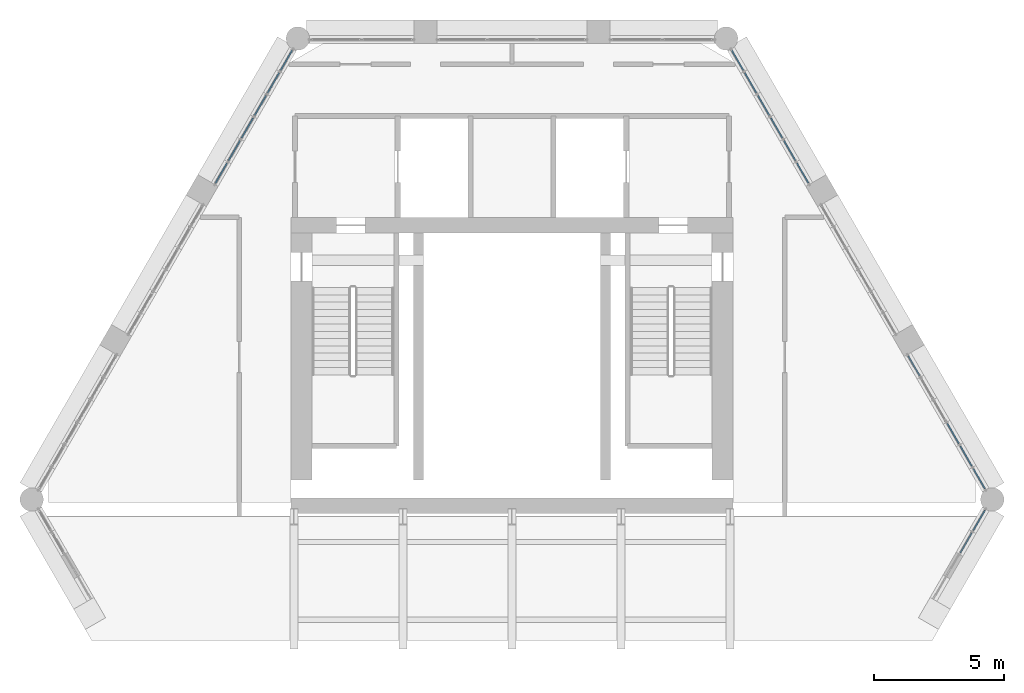
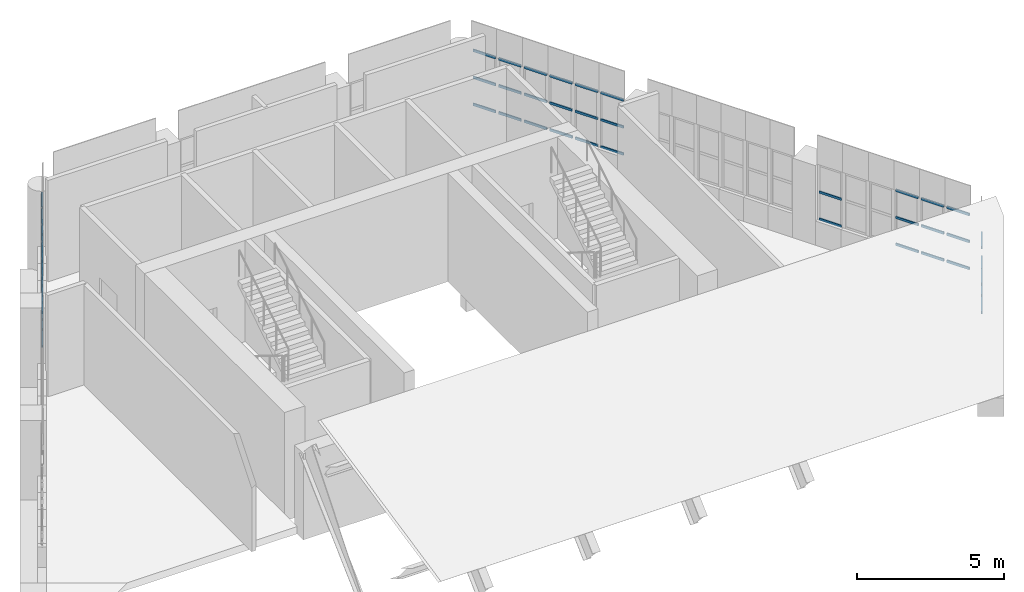
# One storey, part 12 of 20: 52 members, 18 elements without a shape of their own.
"""IFC4 building model written with IfcOpenShell, lengths in metres."""

from ifc_helpers import new_model, si_unit, direction, frame, origin, origin_2d, place, context, subcontext, project, spatial, hollow_rectangle, extrude, material, material_profile, profile_set, type_object, element, aggregate, save


model = new_model("IFC4")

# Units and contexts
model_context = context("Model", 3, precision=1e-05, world=origin(), true_north=direction((0.0, 1.0)))
body_context = subcontext(model_context, "Body", "Model", "MODEL_VIEW")
ifc_project = project(units=[si_unit("LENGTHUNIT", "METRE"), si_unit("AREAUNIT", "SQUARE_METRE"), si_unit("VOLUMEUNIT", "CUBIC_METRE"), si_unit("PLANEANGLEUNIT", "RADIAN"), si_unit("MASSUNIT", "GRAM", prefix="KILO")], contexts=[model_context])

# Site, building, storey
site_placement = place(None, origin())
site = spatial("IfcSite", under=ifc_project, at=site_placement, CompositionType="ELEMENT")
building_placement = place(site_placement, origin())
building = spatial("IfcBuilding", under=site, at=building_placement, Name="Ostrander Bayou Hotel Tower", CompositionType="ELEMENT")
storey_placement = place(building_placement, frame((0.0, 0.0, 284.0)))
storey = spatial("IfcBuildingStorey", under=building, at=storey_placement, Name="L70", CompositionType="ELEMENT", Elevation=284.0)

# Curtain wall, members
ifc_material_1 = material(Name="Aluminium and clear glass", Category="aluminium")
curtain_wall_type = type_object("IfcCurtainWallType", Name="CW-CROWN glazed wall", PredefinedType="NOTDEFINED", material=ifc_material_1)
curtain_wall_1_placement = place(storey_placement, origin())
curtain_wall_1 = element("IfcCurtainWall", 1, at=curtain_wall_1_placement, inside=storey, type_object=curtain_wall_type, Name="CW-CROWN L70:NW-1-1", PredefinedType="NOTDEFINED")
ifc_material_2 = material(Name="Aluminium", Category="aluminium")
ifc_material_profile = material_profile(ifc_material_2, hollow_rectangle(XDim=0.050048828125, YDim=0.10009765625, WallThickness=0.00390625, at=origin_2d()))
ifc_profile_set = profile_set([ifc_material_profile], Name="Aluminium")
member_type = type_object("IfcMemberType", Name="CW-CR transom 50 x 100 mm", PredefinedType="USERDEFINED", material=ifc_profile_set)
member_1_placement = place(storey_placement, frame((-8.4619140625, 16.13037109375, 1.030029296875), z_axis=(-0.500033502416, -0.866006060292, 0.0), x_axis=(0.866006060292, -0.500033502416, 0.0)))
member_1 = element("IfcMember", 2, at=member_1_placement, type_object=member_type, Name="CW-CROWN transom 1.1", ObjectType="TRANSOM", PredefinedType="USERDEFINED", context=body_context, shape_type="SweptSolid", body=[
    extrude(hollow_rectangle(XDim=0.050048828125, YDim=0.10009765625, WallThickness=0.00390625, at=origin_2d()), origin(), (0.0, 0.0, 1.0), 0.88330078125),
])
member_2_placement = place(storey_placement, frame((-8.4619140625, 16.13037109375, 2.14990234375), z_axis=(-0.500033502416, -0.866006060292, 0.0), x_axis=(0.866006060292, -0.500033502416, 0.0)))
member_2 = element("IfcMember", 3, at=member_2_placement, type_object=member_type, Name="CW-CROWN transom 1.2", ObjectType="TRANSOM", PredefinedType="USERDEFINED", context=body_context, shape_type="SweptSolid", body=[
    extrude(hollow_rectangle(XDim=0.050048828125, YDim=0.10009765625, WallThickness=0.00390625, at=origin_2d()), origin(), (0.0, 0.0, 1.0), 0.88330078125),
])
member_3_placement = place(storey_placement, frame((-8.4619140625, 16.13037109375, 3.27001953125), z_axis=(-0.500033502416, -0.866006060292, 0.0), x_axis=(0.866006060292, -0.500033502416, 0.0)))
member_3 = element("IfcMember", 4, at=member_3_placement, type_object=member_type, Name="CW-CROWN transom 1.3", ObjectType="TRANSOM", PredefinedType="USERDEFINED", context=body_context, shape_type="SweptSolid", body=[
    extrude(hollow_rectangle(XDim=0.050048828125, YDim=0.10009765625, WallThickness=0.00390625, at=origin_2d()), origin(), (0.0, 0.0, 1.0), 0.88330078125),
])
aggregate(curtain_wall_1, [member_1, member_2, member_3])

curtain_wall_2_placement = place(storey_placement, origin())
curtain_wall_2 = element("IfcCurtainWall", 5, at=curtain_wall_2_placement, inside=storey, type_object=curtain_wall_type, Name="CW-CROWN L70:NW-1-2", PredefinedType="NOTDEFINED")
member_4_placement = place(storey_placement, frame((-8.963623046875, 15.26171875, 1.030029296875), z_axis=(-0.500033502416, -0.866006060292, 0.0), x_axis=(0.866006060292, -0.500033502416, 0.0)))
member_4 = element("IfcMember", 6, at=member_4_placement, type_object=member_type, Name="CW-CROWN transom 1.1", ObjectType="TRANSOM", PredefinedType="USERDEFINED", context=body_context, shape_type="SweptSolid", body=[
    extrude(hollow_rectangle(XDim=0.050048828125, YDim=0.10009765625, WallThickness=0.00390625, at=origin_2d()), origin(), (0.0, 0.0, 1.0), 0.88330078125),
])
member_5_placement = place(storey_placement, frame((-8.963623046875, 15.26171875, 2.14990234375), z_axis=(-0.500033502416, -0.866006060292, 0.0), x_axis=(0.866006060292, -0.500033502416, 0.0)))
member_5 = element("IfcMember", 7, at=member_5_placement, type_object=member_type, Name="CW-CROWN transom 1.2", ObjectType="TRANSOM", PredefinedType="USERDEFINED", context=body_context, shape_type="SweptSolid", body=[
    extrude(hollow_rectangle(XDim=0.050048828125, YDim=0.10009765625, WallThickness=0.00390625, at=origin_2d()), origin(), (0.0, 0.0, 1.0), 0.88330078125),
])
member_6_placement = place(storey_placement, frame((-8.963623046875, 15.26171875, 3.27001953125), z_axis=(-0.500033502416, -0.866006060292, 0.0), x_axis=(0.866006060292, -0.500033502416, 0.0)))
member_6 = element("IfcMember", 8, at=member_6_placement, type_object=member_type, Name="CW-CROWN transom 1.3", ObjectType="TRANSOM", PredefinedType="USERDEFINED", context=body_context, shape_type="SweptSolid", body=[
    extrude(hollow_rectangle(XDim=0.050048828125, YDim=0.10009765625, WallThickness=0.00390625, at=origin_2d()), origin(), (0.0, 0.0, 1.0), 0.88330078125),
])
aggregate(curtain_wall_2, [member_4, member_5, member_6])

curtain_wall_3_placement = place(storey_placement, origin())
curtain_wall_3 = element("IfcCurtainWall", 9, at=curtain_wall_3_placement, inside=storey, type_object=curtain_wall_type, Name="CW-CROWN L70:NW-1-3", PredefinedType="NOTDEFINED")
member_7_placement = place(storey_placement, frame((-9.465087890625, 14.392822265625, 1.030029296875), z_axis=(-0.500153222552, -0.865936922628, 0.0), x_axis=(0.865936922628, -0.500153222552, 0.0)))
member_7 = element("IfcMember", 10, at=member_7_placement, type_object=member_type, Name="CW-CROWN transom 1.1", ObjectType="TRANSOM", PredefinedType="USERDEFINED", context=body_context, shape_type="SweptSolid", body=[
    extrude(hollow_rectangle(XDim=0.050048828125, YDim=0.10009765625, WallThickness=0.00390625, at=origin_2d()), origin(), (0.0, 0.0, 1.0), 0.883056640625),
])
member_8_placement = place(storey_placement, frame((-9.465087890625, 14.392822265625, 2.14990234375), z_axis=(-0.500153222552, -0.865936922628, 0.0), x_axis=(0.865936922628, -0.500153222552, 0.0)))
member_8 = element("IfcMember", 11, at=member_8_placement, type_object=member_type, Name="CW-CROWN transom 1.2", ObjectType="TRANSOM", PredefinedType="USERDEFINED", context=body_context, shape_type="SweptSolid", body=[
    extrude(hollow_rectangle(XDim=0.050048828125, YDim=0.10009765625, WallThickness=0.00390625, at=origin_2d()), origin(), (0.0, 0.0, 1.0), 0.883056640625),
])
member_9_placement = place(storey_placement, frame((-9.465087890625, 14.392822265625, 3.27001953125), z_axis=(-0.500153222552, -0.865936922628, 0.0), x_axis=(0.865936922628, -0.500153222552, 0.0)))
member_9 = element("IfcMember", 12, at=member_9_placement, type_object=member_type, Name="CW-CROWN transom 1.3", ObjectType="TRANSOM", PredefinedType="USERDEFINED", context=body_context, shape_type="SweptSolid", body=[
    extrude(hollow_rectangle(XDim=0.050048828125, YDim=0.10009765625, WallThickness=0.00390625, at=origin_2d()), origin(), (0.0, 0.0, 1.0), 0.883056640625),
])
aggregate(curtain_wall_3, [member_7, member_8, member_9])

curtain_wall_4_placement = place(storey_placement, origin())
curtain_wall_4 = element("IfcCurtainWall", 13, at=curtain_wall_4_placement, inside=storey, type_object=curtain_wall_type, Name="CW-CROWN L70:NW-1-4", PredefinedType="NOTDEFINED")
member_10_placement = place(storey_placement, frame((-9.966796875, 13.524169921875, 1.030029296875), z_axis=(-0.499826157957, -0.866125748273, 0.0), x_axis=(0.866125748273, -0.499826157957, 0.0)))
member_10 = element("IfcMember", 14, at=member_10_placement, type_object=member_type, Name="CW-CROWN transom 1.1", ObjectType="TRANSOM", PredefinedType="USERDEFINED", context=body_context, shape_type="SweptSolid", body=[
    extrude(hollow_rectangle(XDim=0.050048828125, YDim=0.10009765625, WallThickness=0.00390625, at=origin_2d()), origin(), (0.0, 0.0, 1.0), 0.883056640625),
])
member_11_placement = place(storey_placement, frame((-9.966796875, 13.524169921875, 2.14990234375), z_axis=(-0.499826157957, -0.866125748273, 0.0), x_axis=(0.866125748273, -0.499826157957, 0.0)))
member_11 = element("IfcMember", 15, at=member_11_placement, type_object=member_type, Name="CW-CROWN transom 1.2", ObjectType="TRANSOM", PredefinedType="USERDEFINED", context=body_context, shape_type="SweptSolid", body=[
    extrude(hollow_rectangle(XDim=0.050048828125, YDim=0.10009765625, WallThickness=0.00390625, at=origin_2d()), origin(), (0.0, 0.0, 1.0), 0.883056640625),
])
member_12_placement = place(storey_placement, frame((-9.966796875, 13.524169921875, 3.27001953125), z_axis=(-0.499826157957, -0.866125748273, 0.0), x_axis=(0.866125748273, -0.499826157957, 0.0)))
member_12 = element("IfcMember", 16, at=member_12_placement, type_object=member_type, Name="CW-CROWN transom 1.3", ObjectType="TRANSOM", PredefinedType="USERDEFINED", context=body_context, shape_type="SweptSolid", body=[
    extrude(hollow_rectangle(XDim=0.050048828125, YDim=0.10009765625, WallThickness=0.00390625, at=origin_2d()), origin(), (0.0, 0.0, 1.0), 0.883056640625),
])
aggregate(curtain_wall_4, [member_10, member_11, member_12])

curtain_wall_5_placement = place(storey_placement, origin())
curtain_wall_5 = element("IfcCurtainWall", 17, at=curtain_wall_5_placement, inside=storey, type_object=curtain_wall_type, Name="CW-CROWN L70:NW-1-5", PredefinedType="NOTDEFINED")
member_13_placement = place(storey_placement, frame((-10.46826171875, 12.6552734375, 1.030029296875), z_axis=(-0.500153222552, -0.865936922628, 0.0), x_axis=(0.865936922628, -0.500153222552, 0.0)))
member_13 = element("IfcMember", 18, at=member_13_placement, type_object=member_type, Name="CW-CROWN transom 1.1", ObjectType="TRANSOM", PredefinedType="USERDEFINED", context=body_context, shape_type="SweptSolid", body=[
    extrude(hollow_rectangle(XDim=0.050048828125, YDim=0.10009765625, WallThickness=0.00390625, at=origin_2d()), origin(), (0.0, 0.0, 1.0), 0.883056640625),
])
member_14_placement = place(storey_placement, frame((-10.46826171875, 12.6552734375, 2.14990234375), z_axis=(-0.500153222552, -0.865936922628, 0.0), x_axis=(0.865936922628, -0.500153222552, 0.0)))
member_14 = element("IfcMember", 19, at=member_14_placement, type_object=member_type, Name="CW-CROWN transom 1.2", ObjectType="TRANSOM", PredefinedType="USERDEFINED", context=body_context, shape_type="SweptSolid", body=[
    extrude(hollow_rectangle(XDim=0.050048828125, YDim=0.10009765625, WallThickness=0.00390625, at=origin_2d()), origin(), (0.0, 0.0, 1.0), 0.883056640625),
])
member_15_placement = place(storey_placement, frame((-10.46826171875, 12.6552734375, 3.27001953125), z_axis=(-0.500153222552, -0.865936922628, 0.0), x_axis=(0.865936922628, -0.500153222552, 0.0)))
member_15 = element("IfcMember", 20, at=member_15_placement, type_object=member_type, Name="CW-CROWN transom 1.3", ObjectType="TRANSOM", PredefinedType="USERDEFINED", context=body_context, shape_type="SweptSolid", body=[
    extrude(hollow_rectangle(XDim=0.050048828125, YDim=0.10009765625, WallThickness=0.00390625, at=origin_2d()), origin(), (0.0, 0.0, 1.0), 0.883056640625),
])
aggregate(curtain_wall_5, [member_13, member_14, member_15])

curtain_wall_6_placement = place(storey_placement, origin())
curtain_wall_6 = element("IfcCurtainWall", 21, at=curtain_wall_6_placement, inside=storey, type_object=curtain_wall_type, Name="CW-CROWN L70:NW-1-6", PredefinedType="NOTDEFINED")
member_16_placement = place(storey_placement, frame((-10.969970703125, 11.78662109375, 1.030029296875), z_axis=(-0.500033502416, -0.866006060292, 0.0), x_axis=(0.866006060292, -0.500033502416, 0.0)))
member_16 = element("IfcMember", 22, at=member_16_placement, type_object=member_type, Name="CW-CROWN transom 1.1", ObjectType="TRANSOM", PredefinedType="USERDEFINED", context=body_context, shape_type="SweptSolid", body=[
    extrude(hollow_rectangle(XDim=0.050048828125, YDim=0.10009765625, WallThickness=0.00390625, at=origin_2d()), origin(), (0.0, 0.0, 1.0), 0.88330078125),
])
member_17_placement = place(storey_placement, frame((-10.969970703125, 11.78662109375, 2.14990234375), z_axis=(-0.500033502416, -0.866006060292, 0.0), x_axis=(0.866006060292, -0.500033502416, 0.0)))
member_17 = element("IfcMember", 23, at=member_17_placement, type_object=member_type, Name="CW-CROWN transom 1.2", ObjectType="TRANSOM", PredefinedType="USERDEFINED", context=body_context, shape_type="SweptSolid", body=[
    extrude(hollow_rectangle(XDim=0.050048828125, YDim=0.10009765625, WallThickness=0.00390625, at=origin_2d()), origin(), (0.0, 0.0, 1.0), 0.88330078125),
])
member_18_placement = place(storey_placement, frame((-10.969970703125, 11.78662109375, 3.27001953125), z_axis=(-0.500033502416, -0.866006060292, 0.0), x_axis=(0.866006060292, -0.500033502416, 0.0)))
member_18 = element("IfcMember", 24, at=member_18_placement, type_object=member_type, Name="CW-CROWN transom 1.3", ObjectType="TRANSOM", PredefinedType="USERDEFINED", context=body_context, shape_type="SweptSolid", body=[
    extrude(hollow_rectangle(XDim=0.050048828125, YDim=0.10009765625, WallThickness=0.00390625, at=origin_2d()), origin(), (0.0, 0.0, 1.0), 0.88330078125),
])
aggregate(curtain_wall_6, [member_16, member_17, member_18])

curtain_wall_7_placement = place(storey_placement, origin())
curtain_wall_7 = element("IfcCurtainWall", 25, at=curtain_wall_7_placement, inside=storey, type_object=curtain_wall_type, Name="CW-CROWN L70:SE-3-3", PredefinedType="NOTDEFINED")
member_19_placement = place(storey_placement, frame((17.256103515625, -3.21142578125, 1.030029296875), z_axis=(0.500001430823, 0.866024577697, 0.0), x_axis=(-0.866024577697, 0.500001430823, 0.0)))
member_19 = element("IfcMember", 26, at=member_19_placement, type_object=member_type, Name="CW-CROWN transom 1.1", ObjectType="TRANSOM", PredefinedType="USERDEFINED", context=body_context, shape_type="SweptSolid", body=[
    extrude(hollow_rectangle(XDim=0.050048828125, YDim=0.10009765625, WallThickness=0.00390625, at=origin_2d()), origin(), (0.0, 0.0, 1.0), 0.8837890625),
])
member_20_placement = place(storey_placement, frame((17.256103515625, -3.21142578125, 2.20166015625), z_axis=(0.500001430823, 0.866024577697, 0.0), x_axis=(-0.866024577697, 0.500001430823, 0.0)))
member_20 = element("IfcMember", 27, at=member_20_placement, type_object=member_type, Name="CW-CROWN transom 1.2", ObjectType="TRANSOM", PredefinedType="USERDEFINED", context=body_context, shape_type="SweptSolid", body=[
    extrude(hollow_rectangle(XDim=0.050048828125, YDim=0.10009765625, WallThickness=0.00390625, at=origin_2d()), origin(), (0.0, 0.0, 1.0), 0.8837890625),
])
aggregate(curtain_wall_7, [member_19, member_20])

curtain_wall_8_placement = place(storey_placement, origin())
curtain_wall_8 = element("IfcCurtainWall", 28, at=curtain_wall_8_placement, inside=storey, type_object=curtain_wall_type, Name="CW-CROWN L70:SE-3-4", PredefinedType="NOTDEFINED")
member_21_placement = place(storey_placement, frame((17.758056640625, -2.342041015625, 1.030029296875), z_axis=(0.500001430823, 0.866024577697, 0.0), x_axis=(-0.866024577697, 0.500001430823, 0.0)))
member_21 = element("IfcMember", 29, at=member_21_placement, type_object=member_type, Name="CW-CROWN transom 1.1", ObjectType="TRANSOM", PredefinedType="USERDEFINED", context=body_context, shape_type="SweptSolid", body=[
    extrude(hollow_rectangle(XDim=0.050048828125, YDim=0.10009765625, WallThickness=0.00390625, at=origin_2d()), origin(), (0.0, 0.0, 1.0), 0.8837890625),
])
member_22_placement = place(storey_placement, frame((17.758056640625, -2.342041015625, 2.025390625), z_axis=(0.500001430823, 0.866024577697, 0.0), x_axis=(-0.866024577697, 0.500001430823, 0.0)))
member_22 = element("IfcMember", 30, at=member_22_placement, type_object=member_type, Name="CW-CROWN transom 1.2", ObjectType="TRANSOM", PredefinedType="USERDEFINED", context=body_context, shape_type="SweptSolid", body=[
    extrude(hollow_rectangle(XDim=0.050048828125, YDim=0.10009765625, WallThickness=0.00390625, at=origin_2d()), origin(), (0.0, 0.0, 1.0), 0.8837890625),
])
member_23_placement = place(storey_placement, frame((17.758056640625, -2.342041015625, 3.0205078125), z_axis=(0.500001430823, 0.866024577697, 0.0), x_axis=(-0.866024577697, 0.500001430823, 0.0)))
member_23 = element("IfcMember", 31, at=member_23_placement, type_object=member_type, Name="CW-CROWN transom 1.3", ObjectType="TRANSOM", PredefinedType="USERDEFINED", context=body_context, shape_type="SweptSolid", body=[
    extrude(hollow_rectangle(XDim=0.050048828125, YDim=0.10009765625, WallThickness=0.00390625, at=origin_2d()), origin(), (0.0, 0.0, 1.0), 0.8837890625),
])
aggregate(curtain_wall_8, [member_21, member_22, member_23])

curtain_wall_9_placement = place(storey_placement, origin())
curtain_wall_9 = element("IfcCurtainWall", 32, at=curtain_wall_9_placement, inside=storey, type_object=curtain_wall_type, Name="CW-CROWN L70:NE-1-1", PredefinedType="NOTDEFINED")
member_24_placement = place(storey_placement, frame((18.2001953125, -0.736328125, 1.030029296875), z_axis=(-0.500153222552, 0.865936922628, 0.0), x_axis=(-0.865936922628, -0.500153222552, 0.0)))
member_24 = element("IfcMember", 33, at=member_24_placement, type_object=member_type, Name="CW-CROWN transom 1.1", ObjectType="TRANSOM", PredefinedType="USERDEFINED", context=body_context, shape_type="SweptSolid", body=[
    extrude(hollow_rectangle(XDim=0.050048828125, YDim=0.10009765625, WallThickness=0.00390625, at=origin_2d()), origin(), (0.0, 0.0, 1.0), 0.883056640625),
])
member_25_placement = place(storey_placement, frame((18.2001953125, -0.736328125, 2.14990234375), z_axis=(-0.500153222552, 0.865936922628, 0.0), x_axis=(-0.865936922628, -0.500153222552, 0.0)))
member_25 = element("IfcMember", 34, at=member_25_placement, type_object=member_type, Name="CW-CROWN transom 1.2", ObjectType="TRANSOM", PredefinedType="USERDEFINED", context=body_context, shape_type="SweptSolid", body=[
    extrude(hollow_rectangle(XDim=0.050048828125, YDim=0.10009765625, WallThickness=0.00390625, at=origin_2d()), origin(), (0.0, 0.0, 1.0), 0.883056640625),
])
member_26_placement = place(storey_placement, frame((18.2001953125, -0.736328125, 3.27001953125), z_axis=(-0.500153222552, 0.865936922628, 0.0), x_axis=(-0.865936922628, -0.500153222552, 0.0)))
member_26 = element("IfcMember", 35, at=member_26_placement, type_object=member_type, Name="CW-CROWN transom 1.3", ObjectType="TRANSOM", PredefinedType="USERDEFINED", context=body_context, shape_type="SweptSolid", body=[
    extrude(hollow_rectangle(XDim=0.050048828125, YDim=0.10009765625, WallThickness=0.00390625, at=origin_2d()), origin(), (0.0, 0.0, 1.0), 0.883056640625),
])
aggregate(curtain_wall_9, [member_24, member_25, member_26])

curtain_wall_10_placement = place(storey_placement, origin())
curtain_wall_10 = element("IfcCurtainWall", 36, at=curtain_wall_10_placement, inside=storey, type_object=curtain_wall_type, Name="CW-CROWN L70:NE-1-2", PredefinedType="NOTDEFINED")
member_27_placement = place(storey_placement, frame((17.698486328125, 0.13232421875, 1.030029296875), z_axis=(-0.499945861543, 0.866056658381, 0.0), x_axis=(-0.866056658381, -0.499945861543, 0.0)))
member_27 = element("IfcMember", 37, at=member_27_placement, type_object=member_type, Name="CW-CROWN transom 1.1", ObjectType="TRANSOM", PredefinedType="USERDEFINED", context=body_context, shape_type="SweptSolid", body=[
    extrude(hollow_rectangle(XDim=0.050048828125, YDim=0.10009765625, WallThickness=0.00390625, at=origin_2d()), origin(), (0.0, 0.0, 1.0), 0.8828125),
])
member_28_placement = place(storey_placement, frame((17.698486328125, 0.13232421875, 2.14990234375), z_axis=(-0.499945861543, 0.866056658381, 0.0), x_axis=(-0.866056658381, -0.499945861543, 0.0)))
member_28 = element("IfcMember", 38, at=member_28_placement, type_object=member_type, Name="CW-CROWN transom 1.2", ObjectType="TRANSOM", PredefinedType="USERDEFINED", context=body_context, shape_type="SweptSolid", body=[
    extrude(hollow_rectangle(XDim=0.050048828125, YDim=0.10009765625, WallThickness=0.00390625, at=origin_2d()), origin(), (0.0, 0.0, 1.0), 0.8828125),
])
member_29_placement = place(storey_placement, frame((17.698486328125, 0.13232421875, 3.27001953125), z_axis=(-0.499945861543, 0.866056658381, 0.0), x_axis=(-0.866056658381, -0.499945861543, 0.0)))
member_29 = element("IfcMember", 39, at=member_29_placement, type_object=member_type, Name="CW-CROWN transom 1.3", ObjectType="TRANSOM", PredefinedType="USERDEFINED", context=body_context, shape_type="SweptSolid", body=[
    extrude(hollow_rectangle(XDim=0.050048828125, YDim=0.10009765625, WallThickness=0.00390625, at=origin_2d()), origin(), (0.0, 0.0, 1.0), 0.8828125),
])
aggregate(curtain_wall_10, [member_27, member_28, member_29])

curtain_wall_11_placement = place(storey_placement, origin())
curtain_wall_11 = element("IfcCurtainWall", 40, at=curtain_wall_11_placement, inside=storey, type_object=curtain_wall_type, Name="CW-CROWN L70:NE-1-3", PredefinedType="NOTDEFINED")
member_30_placement = place(storey_placement, frame((17.197021484375, 1.0009765625, 1.030029296875), z_axis=(-0.499945861543, 0.866056658381, 0.0), x_axis=(-0.866056658381, -0.499945861543, 0.0)))
member_30 = element("IfcMember", 41, at=member_30_placement, type_object=member_type, Name="CW-CROWN transom 1.1", ObjectType="TRANSOM", PredefinedType="USERDEFINED", context=body_context, shape_type="SweptSolid", body=[
    extrude(hollow_rectangle(XDim=0.050048828125, YDim=0.10009765625, WallThickness=0.00390625, at=origin_2d()), origin(), (0.0, 0.0, 1.0), 0.8828125),
])
member_31_placement = place(storey_placement, frame((17.197021484375, 1.0009765625, 2.14990234375), z_axis=(-0.499945861543, 0.866056658381, 0.0), x_axis=(-0.866056658381, -0.499945861543, 0.0)))
member_31 = element("IfcMember", 42, at=member_31_placement, type_object=member_type, Name="CW-CROWN transom 1.2", ObjectType="TRANSOM", PredefinedType="USERDEFINED", context=body_context, shape_type="SweptSolid", body=[
    extrude(hollow_rectangle(XDim=0.050048828125, YDim=0.10009765625, WallThickness=0.00390625, at=origin_2d()), origin(), (0.0, 0.0, 1.0), 0.8828125),
])
member_32_placement = place(storey_placement, frame((17.197021484375, 1.0009765625, 3.27001953125), z_axis=(-0.499945861543, 0.866056658381, 0.0), x_axis=(-0.866056658381, -0.499945861543, 0.0)))
member_32 = element("IfcMember", 43, at=member_32_placement, type_object=member_type, Name="CW-CROWN transom 1.3", ObjectType="TRANSOM", PredefinedType="USERDEFINED", context=body_context, shape_type="SweptSolid", body=[
    extrude(hollow_rectangle(XDim=0.050048828125, YDim=0.10009765625, WallThickness=0.00390625, at=origin_2d()), origin(), (0.0, 0.0, 1.0), 0.8828125),
])
aggregate(curtain_wall_11, [member_30, member_31, member_32])

curtain_wall_12_placement = place(storey_placement, origin())
curtain_wall_12 = element("IfcCurtainWall", 44, at=curtain_wall_12_placement, inside=storey, type_object=curtain_wall_type, Name="CW-CROWN L70:NE-1-6", PredefinedType="NOTDEFINED")
member_33_placement = place(storey_placement, frame((15.6923828125, 3.60693359375, 1.030029296875), z_axis=(-0.499826157957, 0.866125748273, 0.0), x_axis=(-0.866125748273, -0.499826157957, 0.0)))
member_33 = element("IfcMember", 45, at=member_33_placement, type_object=member_type, Name="CW-CROWN transom 1.1", ObjectType="TRANSOM", PredefinedType="USERDEFINED", context=body_context, shape_type="SweptSolid", body=[
    extrude(hollow_rectangle(XDim=0.050048828125, YDim=0.10009765625, WallThickness=0.00390625, at=origin_2d()), origin(), (0.0, 0.0, 1.0), 0.883056640625),
])
member_34_placement = place(storey_placement, frame((15.6923828125, 3.60693359375, 2.14990234375), z_axis=(-0.499826157957, 0.866125748273, 0.0), x_axis=(-0.866125748273, -0.499826157957, 0.0)))
member_34 = element("IfcMember", 46, at=member_34_placement, type_object=member_type, Name="CW-CROWN transom 1.2", ObjectType="TRANSOM", PredefinedType="USERDEFINED", context=body_context, shape_type="SweptSolid", body=[
    extrude(hollow_rectangle(XDim=0.050048828125, YDim=0.10009765625, WallThickness=0.00390625, at=origin_2d()), origin(), (0.0, 0.0, 1.0), 0.883056640625),
])
aggregate(curtain_wall_12, [member_33, member_34])

curtain_wall_13_placement = place(storey_placement, origin())
curtain_wall_13 = element("IfcCurtainWall", 47, at=curtain_wall_13_placement, inside=storey, type_object=curtain_wall_type, Name="CW-CROWN L70:NE-3-1", PredefinedType="NOTDEFINED")
member_35_placement = place(storey_placement, frame((11.41162109375, 11.021728515625, 1.030029296875), z_axis=(-0.500033502416, 0.866006060292, 0.0), x_axis=(-0.866006060292, -0.500033502416, 0.0)))
member_35 = element("IfcMember", 48, at=member_35_placement, type_object=member_type, Name="CW-CROWN transom 1.1", ObjectType="TRANSOM", PredefinedType="USERDEFINED", context=body_context, shape_type="SweptSolid", body=[
    extrude(hollow_rectangle(XDim=0.050048828125, YDim=0.10009765625, WallThickness=0.00390625, at=origin_2d()), origin(), (0.0, 0.0, 1.0), 0.88330078125),
])
member_36_placement = place(storey_placement, frame((11.41162109375, 11.021728515625, 2.14990234375), z_axis=(-0.500033502416, 0.866006060292, 0.0), x_axis=(-0.866006060292, -0.500033502416, 0.0)))
member_36 = element("IfcMember", 49, at=member_36_placement, type_object=member_type, Name="CW-CROWN transom 1.2", ObjectType="TRANSOM", PredefinedType="USERDEFINED", context=body_context, shape_type="SweptSolid", body=[
    extrude(hollow_rectangle(XDim=0.050048828125, YDim=0.10009765625, WallThickness=0.00390625, at=origin_2d()), origin(), (0.0, 0.0, 1.0), 0.88330078125),
])
member_37_placement = place(storey_placement, frame((11.41162109375, 11.021728515625, 3.27001953125), z_axis=(-0.500033502416, 0.866006060292, 0.0), x_axis=(-0.866006060292, -0.500033502416, 0.0)))
member_37 = element("IfcMember", 50, at=member_37_placement, type_object=member_type, Name="CW-CROWN transom 1.3", ObjectType="TRANSOM", PredefinedType="USERDEFINED", context=body_context, shape_type="SweptSolid", body=[
    extrude(hollow_rectangle(XDim=0.050048828125, YDim=0.10009765625, WallThickness=0.00390625, at=origin_2d()), origin(), (0.0, 0.0, 1.0), 0.88330078125),
])
aggregate(curtain_wall_13, [member_35, member_36, member_37])

curtain_wall_14_placement = place(storey_placement, origin())
curtain_wall_14 = element("IfcCurtainWall", 51, at=curtain_wall_14_placement, inside=storey, type_object=curtain_wall_type, Name="CW-CROWN L70:NE-3-2", PredefinedType="NOTDEFINED")
member_38_placement = place(storey_placement, frame((10.909912109375, 11.890625, 1.030029296875), z_axis=(-0.500153222552, 0.865936922628, 0.0), x_axis=(-0.865936922628, -0.500153222552, 0.0)))
member_38 = element("IfcMember", 52, at=member_38_placement, type_object=member_type, Name="CW-CROWN transom 1.1", ObjectType="TRANSOM", PredefinedType="USERDEFINED", context=body_context, shape_type="SweptSolid", body=[
    extrude(hollow_rectangle(XDim=0.050048828125, YDim=0.10009765625, WallThickness=0.00390625, at=origin_2d()), origin(), (0.0, 0.0, 1.0), 0.883056640625),
])
member_39_placement = place(storey_placement, frame((10.909912109375, 11.890625, 2.14990234375), z_axis=(-0.500153222552, 0.865936922628, 0.0), x_axis=(-0.865936922628, -0.500153222552, 0.0)))
member_39 = element("IfcMember", 53, at=member_39_placement, type_object=member_type, Name="CW-CROWN transom 1.2", ObjectType="TRANSOM", PredefinedType="USERDEFINED", context=body_context, shape_type="SweptSolid", body=[
    extrude(hollow_rectangle(XDim=0.050048828125, YDim=0.10009765625, WallThickness=0.00390625, at=origin_2d()), origin(), (0.0, 0.0, 1.0), 0.883056640625),
])
member_40_placement = place(storey_placement, frame((10.909912109375, 11.890625, 3.27001953125), z_axis=(-0.500153222552, 0.865936922628, 0.0), x_axis=(-0.865936922628, -0.500153222552, 0.0)))
member_40 = element("IfcMember", 54, at=member_40_placement, type_object=member_type, Name="CW-CROWN transom 1.3", ObjectType="TRANSOM", PredefinedType="USERDEFINED", context=body_context, shape_type="SweptSolid", body=[
    extrude(hollow_rectangle(XDim=0.050048828125, YDim=0.10009765625, WallThickness=0.00390625, at=origin_2d()), origin(), (0.0, 0.0, 1.0), 0.883056640625),
])
aggregate(curtain_wall_14, [member_38, member_39, member_40])

curtain_wall_15_placement = place(storey_placement, origin())
curtain_wall_15 = element("IfcCurtainWall", 55, at=curtain_wall_15_placement, inside=storey, type_object=curtain_wall_type, Name="CW-CROWN L70:NE-3-3", PredefinedType="NOTDEFINED")
member_41_placement = place(storey_placement, frame((10.408203125, 12.75927734375, 1.030029296875), z_axis=(-0.499826157957, 0.866125748273, 0.0), x_axis=(-0.866125748273, -0.499826157957, 0.0)))
member_41 = element("IfcMember", 56, at=member_41_placement, type_object=member_type, Name="CW-CROWN transom 1.1", ObjectType="TRANSOM", PredefinedType="USERDEFINED", context=body_context, shape_type="SweptSolid", body=[
    extrude(hollow_rectangle(XDim=0.050048828125, YDim=0.10009765625, WallThickness=0.00390625, at=origin_2d()), origin(), (0.0, 0.0, 1.0), 0.883056640625),
])
member_42_placement = place(storey_placement, frame((10.408203125, 12.75927734375, 2.14990234375), z_axis=(-0.499826157957, 0.866125748273, 0.0), x_axis=(-0.866125748273, -0.499826157957, 0.0)))
member_42 = element("IfcMember", 57, at=member_42_placement, type_object=member_type, Name="CW-CROWN transom 1.2", ObjectType="TRANSOM", PredefinedType="USERDEFINED", context=body_context, shape_type="SweptSolid", body=[
    extrude(hollow_rectangle(XDim=0.050048828125, YDim=0.10009765625, WallThickness=0.00390625, at=origin_2d()), origin(), (0.0, 0.0, 1.0), 0.883056640625),
])
member_43_placement = place(storey_placement, frame((10.408203125, 12.75927734375, 3.27001953125), z_axis=(-0.499826157957, 0.866125748273, 0.0), x_axis=(-0.866125748273, -0.499826157957, 0.0)))
member_43 = element("IfcMember", 58, at=member_43_placement, type_object=member_type, Name="CW-CROWN transom 1.3", ObjectType="TRANSOM", PredefinedType="USERDEFINED", context=body_context, shape_type="SweptSolid", body=[
    extrude(hollow_rectangle(XDim=0.050048828125, YDim=0.10009765625, WallThickness=0.00390625, at=origin_2d()), origin(), (0.0, 0.0, 1.0), 0.883056640625),
])
aggregate(curtain_wall_15, [member_41, member_42, member_43])

curtain_wall_16_placement = place(storey_placement, origin())
curtain_wall_16 = element("IfcCurtainWall", 59, at=curtain_wall_16_placement, inside=storey, type_object=curtain_wall_type, Name="CW-CROWN L70:NE-3-4", PredefinedType="NOTDEFINED")
member_44_placement = place(storey_placement, frame((9.90673828125, 13.628173828125, 1.030029296875), z_axis=(-0.500153222552, 0.865936922628, 0.0), x_axis=(-0.865936922628, -0.500153222552, 0.0)))
member_44 = element("IfcMember", 60, at=member_44_placement, type_object=member_type, Name="CW-CROWN transom 1.1", ObjectType="TRANSOM", PredefinedType="USERDEFINED", context=body_context, shape_type="SweptSolid", body=[
    extrude(hollow_rectangle(XDim=0.050048828125, YDim=0.10009765625, WallThickness=0.00390625, at=origin_2d()), origin(), (0.0, 0.0, 1.0), 0.883056640625),
])
member_45_placement = place(storey_placement, frame((9.90673828125, 13.628173828125, 2.14990234375), z_axis=(-0.500153222552, 0.865936922628, 0.0), x_axis=(-0.865936922628, -0.500153222552, 0.0)))
member_45 = element("IfcMember", 61, at=member_45_placement, type_object=member_type, Name="CW-CROWN transom 1.2", ObjectType="TRANSOM", PredefinedType="USERDEFINED", context=body_context, shape_type="SweptSolid", body=[
    extrude(hollow_rectangle(XDim=0.050048828125, YDim=0.10009765625, WallThickness=0.00390625, at=origin_2d()), origin(), (0.0, 0.0, 1.0), 0.883056640625),
])
member_46_placement = place(storey_placement, frame((9.90673828125, 13.628173828125, 3.27001953125), z_axis=(-0.500153222552, 0.865936922628, 0.0), x_axis=(-0.865936922628, -0.500153222552, 0.0)))
member_46 = element("IfcMember", 62, at=member_46_placement, type_object=member_type, Name="CW-CROWN transom 1.3", ObjectType="TRANSOM", PredefinedType="USERDEFINED", context=body_context, shape_type="SweptSolid", body=[
    extrude(hollow_rectangle(XDim=0.050048828125, YDim=0.10009765625, WallThickness=0.00390625, at=origin_2d()), origin(), (0.0, 0.0, 1.0), 0.883056640625),
])
aggregate(curtain_wall_16, [member_44, member_45, member_46])

curtain_wall_17_placement = place(storey_placement, origin())
curtain_wall_17 = element("IfcCurtainWall", 63, at=curtain_wall_17_placement, inside=storey, type_object=curtain_wall_type, Name="CW-CROWN L70:NE-3-5", PredefinedType="NOTDEFINED")
member_47_placement = place(storey_placement, frame((9.4052734375, 14.496826171875, 1.030029296875), z_axis=(-0.500033502416, 0.866006060292, 0.0), x_axis=(-0.866006060292, -0.500033502416, 0.0)))
member_47 = element("IfcMember", 64, at=member_47_placement, type_object=member_type, Name="CW-CROWN transom 1.1", ObjectType="TRANSOM", PredefinedType="USERDEFINED", context=body_context, shape_type="SweptSolid", body=[
    extrude(hollow_rectangle(XDim=0.050048828125, YDim=0.10009765625, WallThickness=0.00390625, at=origin_2d()), origin(), (0.0, 0.0, 1.0), 0.88330078125),
])
member_48_placement = place(storey_placement, frame((9.4052734375, 14.496826171875, 2.14990234375), z_axis=(-0.500033502416, 0.866006060292, 0.0), x_axis=(-0.866006060292, -0.500033502416, 0.0)))
member_48 = element("IfcMember", 65, at=member_48_placement, type_object=member_type, Name="CW-CROWN transom 1.2", ObjectType="TRANSOM", PredefinedType="USERDEFINED", context=body_context, shape_type="SweptSolid", body=[
    extrude(hollow_rectangle(XDim=0.050048828125, YDim=0.10009765625, WallThickness=0.00390625, at=origin_2d()), origin(), (0.0, 0.0, 1.0), 0.88330078125),
])
member_49_placement = place(storey_placement, frame((9.4052734375, 14.496826171875, 3.27001953125), z_axis=(-0.500033502416, 0.866006060292, 0.0), x_axis=(-0.866006060292, -0.500033502416, 0.0)))
member_49 = element("IfcMember", 66, at=member_49_placement, type_object=member_type, Name="CW-CROWN transom 1.3", ObjectType="TRANSOM", PredefinedType="USERDEFINED", context=body_context, shape_type="SweptSolid", body=[
    extrude(hollow_rectangle(XDim=0.050048828125, YDim=0.10009765625, WallThickness=0.00390625, at=origin_2d()), origin(), (0.0, 0.0, 1.0), 0.88330078125),
])
aggregate(curtain_wall_17, [member_47, member_48, member_49])

curtain_wall_18_placement = place(storey_placement, origin())
curtain_wall_18 = element("IfcCurtainWall", 67, at=curtain_wall_18_placement, inside=storey, type_object=curtain_wall_type, Name="CW-CROWN L70:NE-3-6", PredefinedType="NOTDEFINED")
member_50_placement = place(storey_placement, frame((8.903564453125, 15.365478515625, 1.030029296875), z_axis=(-0.500033502416, 0.866006060292, 0.0), x_axis=(-0.866006060292, -0.500033502416, 0.0)))
member_50 = element("IfcMember", 68, at=member_50_placement, type_object=member_type, Name="CW-CROWN transom 1.1", ObjectType="TRANSOM", PredefinedType="USERDEFINED", context=body_context, shape_type="SweptSolid", body=[
    extrude(hollow_rectangle(XDim=0.050048828125, YDim=0.10009765625, WallThickness=0.00390625, at=origin_2d()), origin(), (0.0, 0.0, 1.0), 0.88330078125),
])
member_51_placement = place(storey_placement, frame((8.903564453125, 15.365478515625, 2.14990234375), z_axis=(-0.500033502416, 0.866006060292, 0.0), x_axis=(-0.866006060292, -0.500033502416, 0.0)))
member_51 = element("IfcMember", 69, at=member_51_placement, type_object=member_type, Name="CW-CROWN transom 1.2", ObjectType="TRANSOM", PredefinedType="USERDEFINED", context=body_context, shape_type="SweptSolid", body=[
    extrude(hollow_rectangle(XDim=0.050048828125, YDim=0.10009765625, WallThickness=0.00390625, at=origin_2d()), origin(), (0.0, 0.0, 1.0), 0.88330078125),
])
member_52_placement = place(storey_placement, frame((8.903564453125, 15.365478515625, 3.27001953125), z_axis=(-0.500033502416, 0.866006060292, 0.0), x_axis=(-0.866006060292, -0.500033502416, 0.0)))
member_52 = element("IfcMember", 70, at=member_52_placement, type_object=member_type, Name="CW-CROWN transom 1.3", ObjectType="TRANSOM", PredefinedType="USERDEFINED", context=body_context, shape_type="SweptSolid", body=[
    extrude(hollow_rectangle(XDim=0.050048828125, YDim=0.10009765625, WallThickness=0.00390625, at=origin_2d()), origin(), (0.0, 0.0, 1.0), 0.88330078125),
])
aggregate(curtain_wall_18, [member_50, member_51, member_52])

save(model, "model.ifc")
